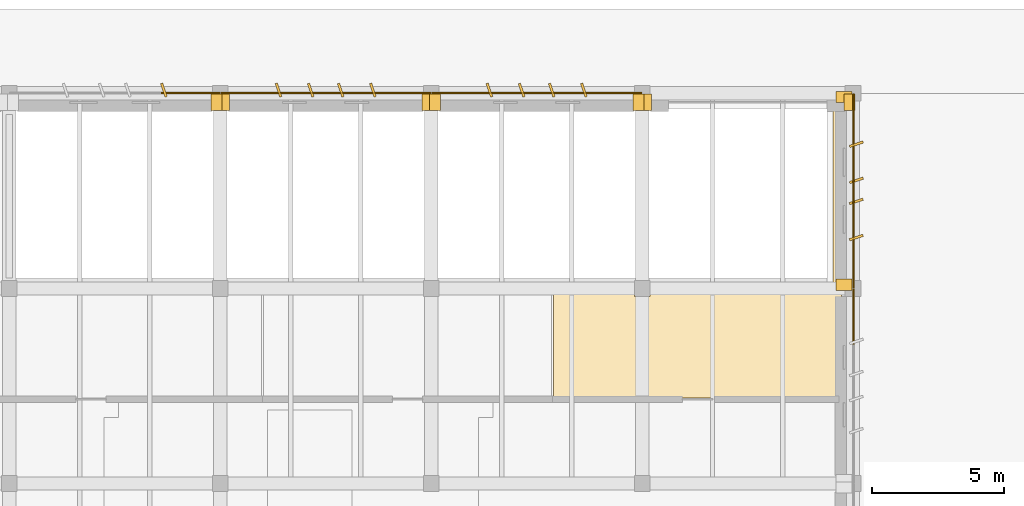
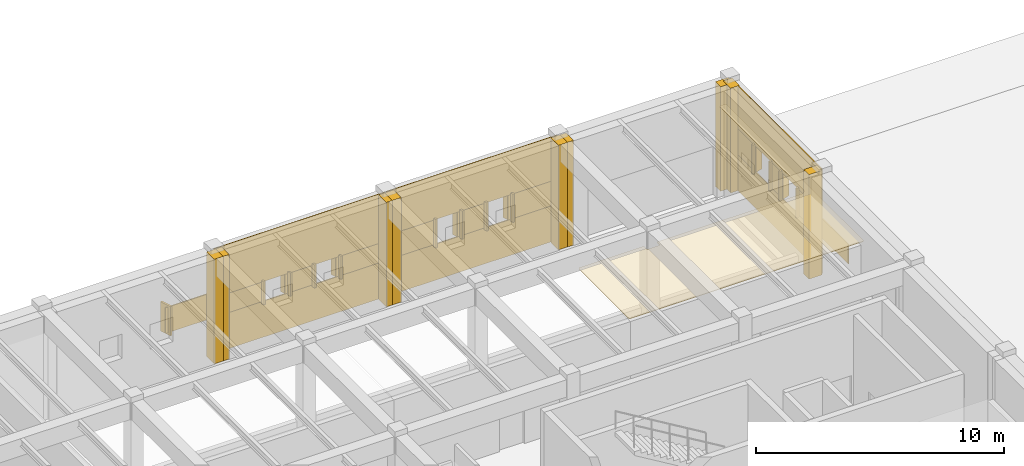
# One storey, part 46 of 56: 40 coverings.
"""IFC4 building model written with IfcOpenShell, lengths in metres."""

import ifcopenshell
import ifcopenshell.guid

model = None  # the IFC model being written
_history = None  # IfcOwnerHistory: only IFC2X3 demands one
_inside = {}  # id of a spatial element -> (the spatial element, [elements in it])
_under = {}  # id of a project, library or spatial element -> (it, [spatial elements below it])
_declared = {}  # id of a project -> (the project, [libraries it declares])
_typed = {}  # id of a type object -> (the type object, [elements of that type])
_made_of = {}  # id of a material, layer set ... -> (it, [elements and type objects made of it])


def new_model(schema):
    """Start an empty IFC model of exactly this schema.

    Asked for "IFC4X3", IfcOpenShell would pick the latest addendum, in which some entities
    have other attributes; the version numbers below select the first issue.
    IFC2X3 requires an IfcOwnerHistory on every rooted entity: one is made here for all.
    """
    global model, _history
    if schema == "IFC4X3":
        model = ifcopenshell.file(schema_version=(4, 3, 0, 0))
    else:
        model = ifcopenshell.file(schema=schema)
    _inside.clear()
    _under.clear()
    _declared.clear()
    _typed.clear()
    _made_of.clear()
    _history = None
    if model.schema == "IFC2X3":
        org = make("IfcOrganization", Name="unknown")
        user = make(
            "IfcPersonAndOrganization",
            ThePerson=make("IfcPerson", FamilyName="unknown"),
            TheOrganization=org,
        )
        app = make(
            "IfcApplication",
            ApplicationDeveloper=org,
            Version="unknown",
            ApplicationFullName="unknown",
            ApplicationIdentifier="unknown",
        )
        _history = make(
            "IfcOwnerHistory",
            OwningUser=user,
            OwningApplication=app,
            ChangeAction="ADDED",
            CreationDate=0,
        )
    return model


def make(cls, **values):
    """One entity of the class cls with the attributes given. An attribute that is None is left unset."""
    return model.create_entity(
        cls, **{name: value for name, value in values.items() if value is not None}
    )


def rooted(cls, **values):
    """An entity with a GlobalId (a new one), such as an element, a storey or a relation."""
    return make(cls, GlobalId=ifcopenshell.guid.new(), OwnerHistory=_history, **values)


def si_unit(unit_type, name, prefix=None):
    """IfcSIUnit, for example si_unit("LENGTHUNIT", "METRE", prefix="MILLI")."""
    return make("IfcSIUnit", UnitType=unit_type, Prefix=prefix, Name=name)


def assignment(units):
    """IfcUnitAssignment: the units of a project."""
    return None if units is None else make("IfcUnitAssignment", Units=units)


def point(xyz):
    """IfcCartesianPoint."""
    return None if xyz is None else make("IfcCartesianPoint", Coordinates=xyz)


def direction(xyz):
    """IfcDirection."""
    return None if xyz is None else make("IfcDirection", DirectionRatios=xyz)


def frame(location, z_axis=None, x_axis=None):
    """IfcAxis2Placement3D, a coordinate frame: its origin and axes. An axis left out is left unset."""
    return make(
        "IfcAxis2Placement3D",
        Location=point(location),
        Axis=direction(z_axis),
        RefDirection=direction(x_axis),
    )


def frame_2d(location, x_axis=None):
    """IfcAxis2Placement2D, a coordinate frame in the plane: its origin and x axis."""
    return make(
        "IfcAxis2Placement2D", Location=point(location), RefDirection=direction(x_axis)
    )


def origin():
    """The frame at (0, 0, 0) with its axes left unset."""
    return frame((0.0, 0.0, 0.0))


def origin_2d():
    """The frame at (0, 0) in the plane with its x axis left unset."""
    return frame_2d((0.0, 0.0))


def place(relative_to, where):
    """IfcLocalPlacement: puts the frame where relative to a parent placement (None: the world)."""
    return make(
        "IfcLocalPlacement", PlacementRelTo=relative_to, RelativePlacement=where
    )


def context(
    kind, dimensions, precision=None, world=None, true_north=None, identifier=None
):
    """IfcGeometricRepresentationContext, for example the 3D "Model" context."""
    return make(
        "IfcGeometricRepresentationContext",
        ContextIdentifier=identifier,
        ContextType=kind,
        CoordinateSpaceDimension=dimensions,
        Precision=precision,
        WorldCoordinateSystem=world,
        TrueNorth=true_north,
    )


def subcontext(parent, identifier, kind, view, scale=None):
    """IfcGeometricRepresentationSubContext, for example "Body" below "Model"."""
    return make(
        "IfcGeometricRepresentationSubContext",
        ContextIdentifier=identifier,
        ContextType=kind,
        ParentContext=parent,
        TargetScale=scale,
        TargetView=view,
    )


def project(units=None, contexts=None):
    """IfcProject with its units and contexts."""
    return rooted(
        "IfcProject",
        Name="project",
        RepresentationContexts=contexts,
        UnitsInContext=assignment(units),
    )


def spatial(cls, under=None, at=None, **own):
    """A site, building, storey or space (cls), placed at a placement, below another one or the project."""
    s = rooted(cls, ObjectPlacement=at, **own)
    if under is not None:
        _under.setdefault(under.id(), (under, []))[1].append(s)
    return s


def polyline(points):
    """IfcPolyline through the points."""
    return make("IfcPolyline", Points=[point(p) for p in points])


def profile(cls, at=None, kind="AREA", **sizes):
    """A parametric profile (cls). Its sizes go by their IFC names, for example OverallWidth=200.0."""
    return make(cls, ProfileType=kind, Position=at, **sizes)


def rectangle(**sizes):
    """IfcRectangleProfileDef."""
    return profile("IfcRectangleProfileDef", **sizes)


def outline(outer, holes=None, kind="AREA"):
    """IfcArbitraryClosedProfileDef: a profile drawn as a closed curve; with holes, ...WithVoids."""
    if holes is None:
        return make("IfcArbitraryClosedProfileDef", ProfileType=kind, OuterCurve=outer)
    return make(
        "IfcArbitraryProfileDefWithVoids",
        ProfileType=kind,
        OuterCurve=outer,
        InnerCurves=holes,
    )


def extrude(swept, where, along, depth):
    """IfcExtrudedAreaSolid: the profile swept, set in the frame where, extruded along a direction by depth."""
    return make(
        "IfcExtrudedAreaSolid",
        SweptArea=swept,
        Position=where,
        ExtrudedDirection=direction(along),
        Depth=depth,
    )


def shape(context_of_items, identifier, shape_type, items):
    """IfcShapeRepresentation: the items that make up one representation, for example the "Body"."""
    return make(
        "IfcShapeRepresentation",
        ContextOfItems=context_of_items,
        RepresentationIdentifier=identifier,
        RepresentationType=shape_type,
        Items=items,
    )


def material(Name=None, Category=None):
    """IfcMaterial."""
    return make("IfcMaterial", Name=Name, Category=Category)


def layer(
    of_material, thickness, ventilated=None, Name=None, Category=None, Priority=None
):
    """IfcMaterialLayer: one layer of a wall or slab, of a material (None: an air gap)."""
    return make(
        "IfcMaterialLayer",
        Material=of_material,
        LayerThickness=thickness,
        IsVentilated=ventilated,
        Name=Name,
        Category=Category,
        Priority=Priority,
    )


def layer_set(layers, Name=None):
    """IfcMaterialLayerSet."""
    return make("IfcMaterialLayerSet", MaterialLayers=layers, LayerSetName=Name)


def made_of(thing, what):
    """Note that an element or type object is made of a material, layer set ...; save() writes the relation."""
    if what is not None:
        _made_of.setdefault(what.id(), (what, []))[1].append(thing)
    return thing


def type_object(cls, material=None, **own):
    """A type object (cls), such as IfcWallType, which elements share."""
    return made_of(rooted(cls, **own), material)


def element(
    cls,
    number,
    at=None,
    inside=None,
    cuts=None,
    type_object=None,
    material=None,
    context=None,
    identifier="Body",
    shape_type=None,
    held_by="IfcProductDefinitionShape",
    body=None,
    shapes=None,
    **own,
):
    """One element of the class cls, such as IfcWall. Its Tag is "e" and its number.

    at: its placement. inside: the storey or other place that contains it. cuts: it is an
    opening in that element (IfcRelVoidsElement). A single representation is given by context,
    identifier, shape_type and body (its items); several are given by shapes. held_by: the class
    of the entity that holds the representations. save() writes the other relations.
    """
    e = rooted(cls, Tag="e%d" % number, ObjectPlacement=at, **own)
    if body is not None:
        shapes = [shape(context, identifier, shape_type, body)]
    if shapes is not None:
        e.Representation = make(held_by, Representations=shapes)
    if inside is not None:
        _inside.setdefault(inside.id(), (inside, []))[1].append(e)
    if cuts is not None:
        rooted(
            "IfcRelVoidsElement", RelatingBuildingElement=cuts, RelatedOpeningElement=e
        )
    if type_object is not None:
        _typed.setdefault(type_object.id(), (type_object, []))[1].append(e)
    return made_of(e, material)


def aggregate(whole, parts):
    """IfcRelAggregates: a whole, such as a stair, and the parts it consists of."""
    return rooted("IfcRelAggregates", RelatingObject=whole, RelatedObjects=parts)


def save(model, path):
    """Write the relations noted so far, then the file.

    IfcRelAggregates (storeys below a building ...), IfcRelContainedInSpatialStructure (elements
    in a storey), IfcRelDefinesByType, IfcRelAssociatesMaterial and IfcRelDeclares: one each for
    every whole, place, type object, material and project.
    """
    for whole, parts in _under.values():
        aggregate(whole, parts)
    for where, things in _inside.values():
        rooted(
            "IfcRelContainedInSpatialStructure",
            RelatedElements=things,
            RelatingStructure=where,
        )
    for kind, things in _typed.values():
        rooted("IfcRelDefinesByType", RelatedObjects=things, RelatingType=kind)
    for what, things in _made_of.values():
        rooted("IfcRelAssociatesMaterial", RelatedObjects=things, RelatingMaterial=what)
    for by, libraries in _declared.values():
        rooted("IfcRelDeclares", RelatingContext=by, RelatedDefinitions=libraries)
    model.write(path)


model = new_model("IFC4")

# Units and contexts
model_context = context("Model", 3, precision=1e-05, world=origin(), true_north=direction((0.0, 1.0)))
body_context = subcontext(model_context, "Body", "Model", "MODEL_VIEW")
ifc_project = project(units=[si_unit("LENGTHUNIT", "METRE"), si_unit("AREAUNIT", "SQUARE_METRE"), si_unit("VOLUMEUNIT", "CUBIC_METRE"), si_unit("PLANEANGLEUNIT", "RADIAN"), si_unit("MASSUNIT", "GRAM", prefix="KILO")], contexts=[model_context])

# Site, building, storey
site_placement = place(None, origin())
site = spatial("IfcSite", under=ifc_project, at=site_placement, CompositionType="ELEMENT")
building_placement = place(site_placement, origin())
building = spatial("IfcBuilding", under=site, at=building_placement, Name="Valkorina Park Police Headquarters", CompositionType="ELEMENT")
storey_placement = place(building_placement, origin())
storey = spatial("IfcBuildingStorey", under=building, at=storey_placement, Name="L01", CompositionType="ELEMENT", Elevation=0.0)

# Coverings
ifc_material_1 = material(Name="Acoustic mineral board")
ifc_layer_1 = layer(ifc_material_1, 0.02490234375)
ifc_layer_set_1 = layer_set([ifc_layer_1], Name="Acoustic mineral board")
covering_type_1 = type_object("IfcCoveringType", Name="COV-CEILING-ACOUST", PredefinedType="CEILING", material=ifc_layer_set_1)
covering_1_placement = place(storey_placement, frame((0.0, 0.0, 4.264892578125)))
element("IfcCovering", 1, at=covering_1_placement, inside=storey, type_object=covering_type_1, Name="Detainee Medical Examination Suite Acoustic Suspended Ceiling", PredefinedType="CEILING", context=body_context, shape_type="SweptSolid", body=[
    extrude(outline(polyline([(55.86962890625, 103.5703125), (55.8466796875, 103.564697265625), (55.823486328125, 103.561279296875), (55.798095703125, 103.56005859375), (49.139892578125, 103.56005859375), (49.132080078125, 103.5595703125), (49.12451171875, 103.55859375), (49.11669921875, 103.556640625), (49.109375, 103.553955078125), (49.102294921875, 103.550537109375), (49.10009765625, 103.54931640625), (49.10009765625, 103.300048828125), (48.5, 103.300048828125), (48.5, 103.54931640625), (48.497802734375, 103.550537109375), (48.490478515625, 103.553955078125), (48.483154296875, 103.556640625), (48.4755859375, 103.55859375), (48.4677734375, 103.5595703125), (48.4599609375, 103.56005859375), (45.52001953125, 103.56005859375), (45.51220703125, 103.5595703125), (45.50439453125, 103.55859375), (45.496826171875, 103.556640625), (45.489501953125, 103.553955078125), (45.482421875, 103.550537109375), (45.4755859375, 103.54638671875), (45.46923828125, 103.541748046875), (45.46337890625, 103.53662109375), (45.458251953125, 103.53076171875), (45.45361328125, 103.5244140625), (45.449462890625, 103.517578125), (45.446044921875, 103.510498046875), (45.443359375, 103.503173828125), (45.44140625, 103.49560546875), (45.4404296875, 103.48779296875), (45.43994140625, 103.47998046875), (45.43994140625, 99.52001953125), (45.4404296875, 99.51220703125), (45.44140625, 99.50439453125), (45.443359375, 99.496826171875), (45.446044921875, 99.489501953125), (45.449462890625, 99.482421875), (45.45361328125, 99.4755859375), (45.458251953125, 99.46923828125), (45.46337890625, 99.46337890625), (45.46923828125, 99.458251953125), (45.4755859375, 99.45361328125), (45.482421875, 99.449462890625), (45.489501953125, 99.446044921875), (45.496826171875, 99.443359375), (45.50439453125, 99.44140625), (45.51220703125, 99.4404296875), (45.52001953125, 99.43994140625), (56.280029296875, 99.43994140625), (56.287841796875, 99.4404296875), (56.295654296875, 99.44140625), (56.30322265625, 99.443359375), (56.310546875, 99.446044921875), (56.317626953125, 99.449462890625), (56.324462890625, 99.45361328125), (56.330810546875, 99.458251953125), (56.336669921875, 99.46337890625), (56.341796875, 99.46923828125), (56.346435546875, 99.4755859375), (56.3505859375, 99.482421875), (56.35400390625, 99.489501953125), (56.356689453125, 99.496826171875), (56.3583984375, 99.50439453125), (56.359619140625, 99.51220703125), (56.360107421875, 99.52001953125), (56.360107421875, 110.47998046875), (56.359619140625, 110.48779296875), (56.3583984375, 110.49560546875), (56.356689453125, 110.503173828125), (56.35400390625, 110.510498046875), (56.3505859375, 110.517578125), (56.346435546875, 110.5244140625), (56.341796875, 110.53076171875), (56.336669921875, 110.53662109375), (56.330810546875, 110.541748046875), (56.324462890625, 110.54638671875), (56.317626953125, 110.550537109375), (56.310546875, 110.553955078125), (56.30322265625, 110.556640625), (56.295654296875, 110.55859375), (56.287841796875, 110.5595703125), (56.280029296875, 110.56005859375), (56.109375, 110.56005859375), (56.101806640625, 110.5595703125), (56.09423828125, 110.55859375), (56.0869140625, 110.556640625), (56.07958984375, 110.55419921875), (56.07275390625, 110.551025390625), (56.06591796875, 110.547119140625), (56.059814453125, 110.542724609375), (56.05419921875, 110.53759765625), (56.048828125, 110.5322265625), (56.044189453125, 110.526123046875), (56.0400390625, 110.519775390625), (56.03662109375, 110.512939453125), (56.03369140625, 110.505859375), (56.031494140625, 110.498291015625), (56.0302734375, 110.490966796875), (56.029541015625, 110.4833984375), (56.029541015625, 110.4755859375), (56.0302734375, 110.468017578125), (56.03173828125, 110.460693359375), (56.035400390625, 110.44677734375), (56.038818359375, 110.423583984375), (56.0400390625, 110.39794921875), (56.0400390625, 103.802001953125), (56.038818359375, 103.776611328125), (56.035400390625, 103.753173828125), (56.029541015625, 103.73046875), (56.021484375, 103.708251953125), (56.01171875, 103.68701171875), (55.99951171875, 103.666748046875), (55.9853515625, 103.647705078125), (55.969482421875, 103.63037109375), (55.9521484375, 103.614501953125), (55.933349609375, 103.6005859375), (55.9130859375, 103.58837890625), (55.891845703125, 103.578369140625), (55.86962890625, 103.5703125)])), origin(), (0.0, 0.0, 1.0), 0.025146484375),
])
ifc_material_2 = material(Name="Precast concrete C40/50", Category="concrete")
ifc_layer_2 = layer(ifc_material_2, 0.044921875)
ifc_layer_set_2 = layer_set([ifc_layer_2], Name="Precast concrete C40/50")
covering_type_2 = type_object("IfcCoveringType", Name="COV-CLAD-DOLOMITE", PredefinedType="CLADDING", material=ifc_layer_set_2)
covering_2_placement = place(storey_placement, frame((32.659912109375, 110.659912109375, 0.0), z_axis=(0.0, 0.0, 1.0), x_axis=(1.0, 0.0, 0.0)))
element("IfcCovering", 2, at=covering_2_placement, inside=storey, type_object=covering_type_2, Name="L01 Exterior Joint Closure Pilaster B 0244", PredefinedType="CLADDING", context=body_context, shape_type="SweptSolid", body=[
    extrude(rectangle(XDim=0.419921875, YDim=0.612060546875, at=origin_2d()), origin(), (0.0, 0.0, 1.0), 5.139892578125),
])
covering_3_placement = place(storey_placement, frame((30.665771484375, 111.1201171875, 1.679931640625), z_axis=(0.0, 0.0, 1.0), x_axis=(-0.317304656405, 0.948323655206, 0.0)))
element("IfcCovering", 3, at=covering_3_placement, inside=storey, type_object=covering_type_2, Name="Slanted 18.5-deg Precast Window Slot Fin 0248", PredefinedType="CLADDING", context=body_context, shape_type="SweptSolid", body=[
    extrude(rectangle(XDim=0.5400390625, YDim=0.090087890625, at=origin_2d()), origin(), (0.0, 0.0, 1.0), 1.43994140625),
])
covering_4_placement = place(storey_placement, frame((30.555908203125, 111.014892578125, 1.77001953125), z_axis=(0.0, 0.0, 1.0), x_axis=(1.0, 0.0, 0.0)))
element("IfcCovering", 4, at=covering_4_placement, inside=storey, type_object=covering_type_2, Name="L01 Calm Concrete Base Slot Pier 0253", PredefinedType="CLADDING", context=body_context, shape_type="SweptSolid", body=[
    extrude(rectangle(XDim=2.22412109375, YDim=0.044921875, at=frame_2d((1.112060546875, 0.0))), origin(), (0.0, 0.0, 1.0), 1.260009765625),
])
for number, where, z_axis, x_axis, name in (
    (5, (32.93994140625, 110.659912109375, 0.0), (0.0, 0.0, 1.0), (1.0, 0.0, 0.0), "L01 Exterior Joint Closure Pilaster A 0254"),
    (6, (40.659912109375, 110.659912109375, 0.0), (0.0, 0.0, 1.0), (1.0, 0.0, 0.0), "L01 Exterior Joint Closure Pilaster B 0255"),
):
    element("IfcCovering", number, at=place(storey_placement, frame(where, z_axis=z_axis, x_axis=x_axis)), inside=storey, type_object=covering_type_2, Name=name, PredefinedType="CLADDING", context=body_context, shape_type="SweptSolid", body=[
        extrude(rectangle(XDim=0.419921875, YDim=0.612060546875, at=origin_2d()), origin(), (0.0, 0.0, 1.0), 5.139892578125),
    ])
for number, where, z_axis, x_axis, name in (
    (7, (35.00927734375, 111.1201171875, 1.68017578125), (0.0, 0.0, 1.0), (-0.317304656405, 0.948323655206, 0.0), "Slanted 18.5-deg Precast Window Slot Fin 0256"),
    (8, (36.229248046875, 111.1201171875, 1.68017578125), (0.0, 0.0, 1.0), (-0.317304656405, 0.948323655206, 0.0), "Slanted 18.5-deg Precast Window Slot Fin 0257"),
    (9, (37.370849609375, 111.1201171875, 1.68017578125), (0.0, 0.0, 1.0), (-0.317304656405, 0.948323655206, 0.0), "Slanted 18.5-deg Precast Window Slot Fin 0258"),
    (10, (38.5908203125, 111.1201171875, 1.68017578125), (0.0, 0.0, 1.0), (-0.317304656405, 0.948323655206, 0.0), "Slanted 18.5-deg Precast Window Slot Fin 0259"),
):
    element("IfcCovering", number, at=place(storey_placement, frame(where, z_axis=z_axis, x_axis=x_axis)), inside=storey, type_object=covering_type_2, Name=name, PredefinedType="CLADDING", context=body_context, shape_type="SweptSolid", body=[
        extrude(rectangle(XDim=0.5400390625, YDim=0.090087890625, at=origin_2d()), origin(), (0.0, 0.0, 1.0), 1.139892578125),
    ])
covering_5_placement = place(storey_placement, frame((32.820068359375, 111.014892578125, 0.0), z_axis=(0.0, 0.0, 1.0), x_axis=(1.0, 0.0, 0.0)))
element("IfcCovering", 11, at=covering_5_placement, inside=storey, type_object=covering_type_2, Name="L01 Calm Concrete Base Sill Spandrel 0260", PredefinedType="CLADDING", context=body_context, shape_type="SweptSolid", body=[
    extrude(rectangle(XDim=7.9599609375, YDim=0.044921875, at=frame_2d((3.97998046875, 0.0))), origin(), (0.0, 0.0, 1.0), 1.77001953125),
])
covering_6_placement = place(storey_placement, frame((32.820068359375, 111.014892578125, 2.72998046875), z_axis=(0.0, 0.0, 1.0), x_axis=(1.0, 0.0, 0.0)))
element("IfcCovering", 12, at=covering_6_placement, inside=storey, type_object=covering_type_2, Name="L01 Calm Concrete Base Lintel Spandrel 0261", PredefinedType="CLADDING", context=body_context, shape_type="SweptSolid", body=[
    extrude(rectangle(XDim=7.9599609375, YDim=0.044921875, at=frame_2d((3.97998046875, 0.0))), origin(), (0.0, 0.0, 1.0), 2.409912109375),
])
covering_7_placement = place(storey_placement, frame((32.820068359375, 111.014892578125, 1.77001953125), z_axis=(0.0, 0.0, 1.0), x_axis=(1.0, 0.0, 0.0)))
element("IfcCovering", 13, at=covering_7_placement, inside=storey, type_object=covering_type_2, Name="L01 Calm Concrete Base Slot Pier 0262", PredefinedType="CLADDING", context=body_context, shape_type="SweptSolid", body=[
    extrude(rectangle(XDim=2.299072265625, YDim=0.044921875, at=frame_2d((1.1494140625, 0.0))), origin(), (0.0, 0.0, 1.0), 0.9599609375),
])
covering_8_placement = place(storey_placement, frame((36.119140625, 111.014892578125, 1.77001953125), z_axis=(0.0, 0.0, 1.0), x_axis=(1.0, 0.0, 0.0)))
element("IfcCovering", 14, at=covering_8_placement, inside=storey, type_object=covering_type_2, Name="L01 Calm Concrete Base Slot Pier 0263", PredefinedType="CLADDING", context=body_context, shape_type="SweptSolid", body=[
    extrude(rectangle(XDim=1.361572265625, YDim=0.044921875, at=frame_2d((0.6806640625, 0.0))), origin(), (0.0, 0.0, 1.0), 0.9599609375),
])
covering_9_placement = place(storey_placement, frame((38.480712890625, 111.014892578125, 1.77001953125), z_axis=(0.0, 0.0, 1.0), x_axis=(1.0, 0.0, 0.0)))
element("IfcCovering", 15, at=covering_9_placement, inside=storey, type_object=covering_type_2, Name="L01 Calm Concrete Base Slot Pier 0264", PredefinedType="CLADDING", context=body_context, shape_type="SweptSolid", body=[
    extrude(rectangle(XDim=2.29931640625, YDim=0.044921875, at=frame_2d((1.149658203125, 0.0))), origin(), (0.0, 0.0, 1.0), 0.9599609375),
])
for number, where, z_axis, x_axis, name in (
    (16, (40.93994140625, 110.659912109375, 0.0), (0.0, 0.0, 1.0), (1.0, 0.0, 0.0), "L01 Exterior Joint Closure Pilaster A 0265"),
    (17, (48.659912109375, 110.659912109375, 0.0), (0.0, 0.0, 1.0), (1.0, 0.0, 0.0), "L01 Exterior Joint Closure Pilaster B 0266"),
):
    element("IfcCovering", number, at=place(storey_placement, frame(where, z_axis=z_axis, x_axis=x_axis)), inside=storey, type_object=covering_type_2, Name=name, PredefinedType="CLADDING", context=body_context, shape_type="SweptSolid", body=[
        extrude(rectangle(XDim=0.419921875, YDim=0.612060546875, at=origin_2d()), origin(), (0.0, 0.0, 1.0), 5.139892578125),
    ])
for number, where, z_axis, x_axis, name in (
    (18, (43.00927734375, 111.1201171875, 1.68017578125), (0.0, 0.0, 1.0), (-0.317304656405, 0.948323655206, 0.0), "Slanted 18.5-deg Precast Window Slot Fin 0267"),
    (19, (44.229248046875, 111.1201171875, 1.68017578125), (0.0, 0.0, 1.0), (-0.317304656405, 0.948323655206, 0.0), "Slanted 18.5-deg Precast Window Slot Fin 0268"),
    (20, (45.370849609375, 111.1201171875, 1.68017578125), (0.0, 0.0, 1.0), (-0.317304656405, 0.948323655206, 0.0), "Slanted 18.5-deg Precast Window Slot Fin 0269"),
    (21, (46.5908203125, 111.1201171875, 1.68017578125), (0.0, 0.0, 1.0), (-0.317304656405, 0.948323655206, 0.0), "Slanted 18.5-deg Precast Window Slot Fin 0270"),
):
    element("IfcCovering", number, at=place(storey_placement, frame(where, z_axis=z_axis, x_axis=x_axis)), inside=storey, type_object=covering_type_2, Name=name, PredefinedType="CLADDING", context=body_context, shape_type="SweptSolid", body=[
        extrude(rectangle(XDim=0.5400390625, YDim=0.090087890625, at=origin_2d()), origin(), (0.0, 0.0, 1.0), 1.389892578125),
    ])
covering_10_placement = place(storey_placement, frame((40.820068359375, 111.014892578125, 0.0), z_axis=(0.0, 0.0, 1.0), x_axis=(1.0, 0.0, 0.0)))
element("IfcCovering", 22, at=covering_10_placement, inside=storey, type_object=covering_type_2, Name="L01 Calm Concrete Base Sill Spandrel 0271", PredefinedType="CLADDING", context=body_context, shape_type="SweptSolid", body=[
    extrude(rectangle(XDim=7.9599609375, YDim=0.044921875, at=frame_2d((3.97998046875, 0.0))), origin(), (0.0, 0.0, 1.0), 1.77001953125),
])
covering_11_placement = place(storey_placement, frame((40.820068359375, 111.014892578125, 2.97998046875), z_axis=(0.0, 0.0, 1.0), x_axis=(1.0, 0.0, 0.0)))
element("IfcCovering", 23, at=covering_11_placement, inside=storey, type_object=covering_type_2, Name="L01 Calm Concrete Base Lintel Spandrel 0272", PredefinedType="CLADDING", context=body_context, shape_type="SweptSolid", body=[
    extrude(rectangle(XDim=7.9599609375, YDim=0.044921875, at=frame_2d((3.97998046875, 0.0))), origin(), (0.0, 0.0, 1.0), 2.159912109375),
])
covering_12_placement = place(storey_placement, frame((40.820068359375, 111.014892578125, 1.77001953125), z_axis=(0.0, 0.0, 1.0), x_axis=(1.0, 0.0, 0.0)))
element("IfcCovering", 24, at=covering_12_placement, inside=storey, type_object=covering_type_2, Name="L01 Calm Concrete Base Slot Pier 0273", PredefinedType="CLADDING", context=body_context, shape_type="SweptSolid", body=[
    extrude(rectangle(XDim=2.299072265625, YDim=0.044921875, at=frame_2d((1.1494140625, 0.0))), origin(), (0.0, 0.0, 1.0), 1.2099609375),
])
covering_13_placement = place(storey_placement, frame((44.119140625, 111.014892578125, 1.77001953125), z_axis=(0.0, 0.0, 1.0), x_axis=(1.0, 0.0, 0.0)))
element("IfcCovering", 25, at=covering_13_placement, inside=storey, type_object=covering_type_2, Name="L01 Calm Concrete Base Slot Pier 0274", PredefinedType="CLADDING", context=body_context, shape_type="SweptSolid", body=[
    extrude(rectangle(XDim=1.361572265625, YDim=0.044921875, at=frame_2d((0.6806640625, 0.0))), origin(), (0.0, 0.0, 1.0), 1.2099609375),
])
covering_14_placement = place(storey_placement, frame((46.480712890625, 111.014892578125, 1.77001953125), z_axis=(0.0, 0.0, 1.0), x_axis=(1.0, 0.0, 0.0)))
element("IfcCovering", 26, at=covering_14_placement, inside=storey, type_object=covering_type_2, Name="L01 Calm Concrete Base Slot Pier 0275", PredefinedType="CLADDING", context=body_context, shape_type="SweptSolid", body=[
    extrude(rectangle(XDim=2.29931640625, YDim=0.044921875, at=frame_2d((1.149658203125, 0.0))), origin(), (0.0, 0.0, 1.0), 1.2099609375),
])
for number, where, z_axis, x_axis, name in (
    (27, (48.93994140625, 110.659912109375, 0.0), (0.0, 0.0, 1.0), (1.0, 0.0, 0.0), "L01 Exterior Joint Closure Pilaster A 0276"),
    (28, (56.659912109375, 110.659912109375, 0.0), (0.0, 0.0, 1.0), (1.0, 0.0, 0.0), "L01 Exterior Joint Closure Pilaster B 0277"),
    (29, (56.4599609375, 110.860107421875, 0.0), (0.0, 0.0, 1.0), (0.0, 1.0, 0.0), "L01 Exterior Joint Closure Pilaster A 0278"),
    (30, (56.4599609375, 103.739990234375, 0.0), (0.0, 0.0, 1.0), (0.0, 1.0, 0.0), "L01 Exterior Joint Closure Pilaster B 0279"),
):
    element("IfcCovering", number, at=place(storey_placement, frame(where, z_axis=z_axis, x_axis=x_axis)), inside=storey, type_object=covering_type_2, Name=name, PredefinedType="CLADDING", context=body_context, shape_type="SweptSolid", body=[
        extrude(rectangle(XDim=0.419921875, YDim=0.612060546875, at=origin_2d()), origin(), (0.0, 0.0, 1.0), 5.139892578125),
    ])
for number, where, z_axis, x_axis, name in (
    (31, (56.919921875, 109.06982421875, 1.679931640625), (0.0, 0.0, 1.0), (0.948323655206, 0.317304656405, 0.0), "Slanted 18.5-deg Precast Window Slot Fin 0280"),
    (32, (56.919921875, 107.69970703125, 1.679931640625), (0.0, 0.0, 1.0), (0.948323655206, 0.317304656405, 0.0), "Slanted 18.5-deg Precast Window Slot Fin 0281"),
    (33, (56.919921875, 106.900146484375, 1.679931640625), (0.0, 0.0, 1.0), (0.948323655206, 0.317304656405, 0.0), "Slanted 18.5-deg Precast Window Slot Fin 0282"),
    (34, (56.919921875, 105.5302734375, 1.679931640625), (0.0, 0.0, 1.0), (0.948323655206, 0.317304656405, 0.0), "Slanted 18.5-deg Precast Window Slot Fin 0283"),
):
    element("IfcCovering", number, at=place(storey_placement, frame(where, z_axis=z_axis, x_axis=x_axis)), inside=storey, type_object=covering_type_2, Name=name, PredefinedType="CLADDING", context=body_context, shape_type="SweptSolid", body=[
        extrude(rectangle(XDim=0.5400390625, YDim=0.090087890625, at=origin_2d()), origin(), (0.0, 0.0, 1.0), 1.43994140625),
    ])
covering_15_placement = place(storey_placement, frame((56.81494140625, 110.97998046875, 0.0), z_axis=(0.0, 0.0, 1.0), x_axis=(0.0, -1.0, 0.0)))
element("IfcCovering", 35, at=covering_15_placement, inside=storey, type_object=covering_type_2, Name="L01 Calm Concrete Base Sill Spandrel 0284", PredefinedType="CLADDING", context=body_context, shape_type="SweptSolid", body=[
    extrude(rectangle(XDim=7.35986328125, YDim=0.044921875, at=frame_2d((3.679931640625, 0.0))), origin(), (0.0, 0.0, 1.0), 1.77001953125),
])
covering_16_placement = place(storey_placement, frame((56.81494140625, 110.97998046875, 3.030029296875), z_axis=(0.0, 0.0, 1.0), x_axis=(0.0, -1.0, 0.0)))
element("IfcCovering", 36, at=covering_16_placement, inside=storey, type_object=covering_type_2, Name="L01 Calm Concrete Base Lintel Spandrel 0285", PredefinedType="CLADDING", context=body_context, shape_type="SweptSolid", body=[
    extrude(rectangle(XDim=7.35986328125, YDim=0.044921875, at=frame_2d((3.679931640625, 0.0))), origin(), (0.0, 0.0, 1.0), 2.10986328125),
])
covering_17_placement = place(storey_placement, frame((56.81494140625, 110.97998046875, 1.77001953125), z_axis=(0.0, 0.0, 1.0), x_axis=(0.0, -1.0, 0.0)))
element("IfcCovering", 37, at=covering_17_placement, inside=storey, type_object=covering_type_2, Name="L01 Calm Concrete Base Slot Pier 0286", PredefinedType="CLADDING", context=body_context, shape_type="SweptSolid", body=[
    extrude(rectangle(XDim=2.020263671875, YDim=0.044921875, at=frame_2d((1.01025390625, 0.0))), origin(), (0.0, 0.0, 1.0), 1.260009765625),
])
covering_18_placement = place(storey_placement, frame((56.81494140625, 107.809814453125, 1.77001953125), z_axis=(0.0, 0.0, 1.0), x_axis=(0.0, -1.0, 0.0)))
element("IfcCovering", 38, at=covering_18_placement, inside=storey, type_object=covering_type_2, Name="L01 Calm Concrete Base Slot Pier 0287", PredefinedType="CLADDING", context=body_context, shape_type="SweptSolid", body=[
    extrude(rectangle(XDim=1.01953125, YDim=0.044921875, at=frame_2d((0.509765625, 0.0))), origin(), (0.0, 0.0, 1.0), 1.260009765625),
])
covering_19_placement = place(storey_placement, frame((56.81494140625, 105.64013671875, 1.77001953125), z_axis=(0.0, 0.0, 1.0), x_axis=(0.0, -1.0, 0.0)))
element("IfcCovering", 39, at=covering_19_placement, inside=storey, type_object=covering_type_2, Name="L01 Calm Concrete Base Slot Pier 0288", PredefinedType="CLADDING", context=body_context, shape_type="SweptSolid", body=[
    extrude(rectangle(XDim=2.02001953125, YDim=0.044921875, at=frame_2d((1.010009765625, 0.0))), origin(), (0.0, 0.0, 1.0), 1.260009765625),
])
covering_20_placement = place(storey_placement, frame((56.81494140625, 103.580078125, 1.77001953125), z_axis=(0.0, 0.0, 1.0), x_axis=(0.0, -1.0, 0.0)))
element("IfcCovering", 40, at=covering_20_placement, inside=storey, type_object=covering_type_2, Name="L01 Calm Concrete Base Slot Pier 0296", PredefinedType="CLADDING", context=body_context, shape_type="SweptSolid", body=[
    extrude(rectangle(XDim=2.09521484375, YDim=0.044921875, at=frame_2d((1.047607421875, 0.0))), origin(), (0.0, 0.0, 1.0), 0.9599609375),
])

save(model, "model.ifc")
